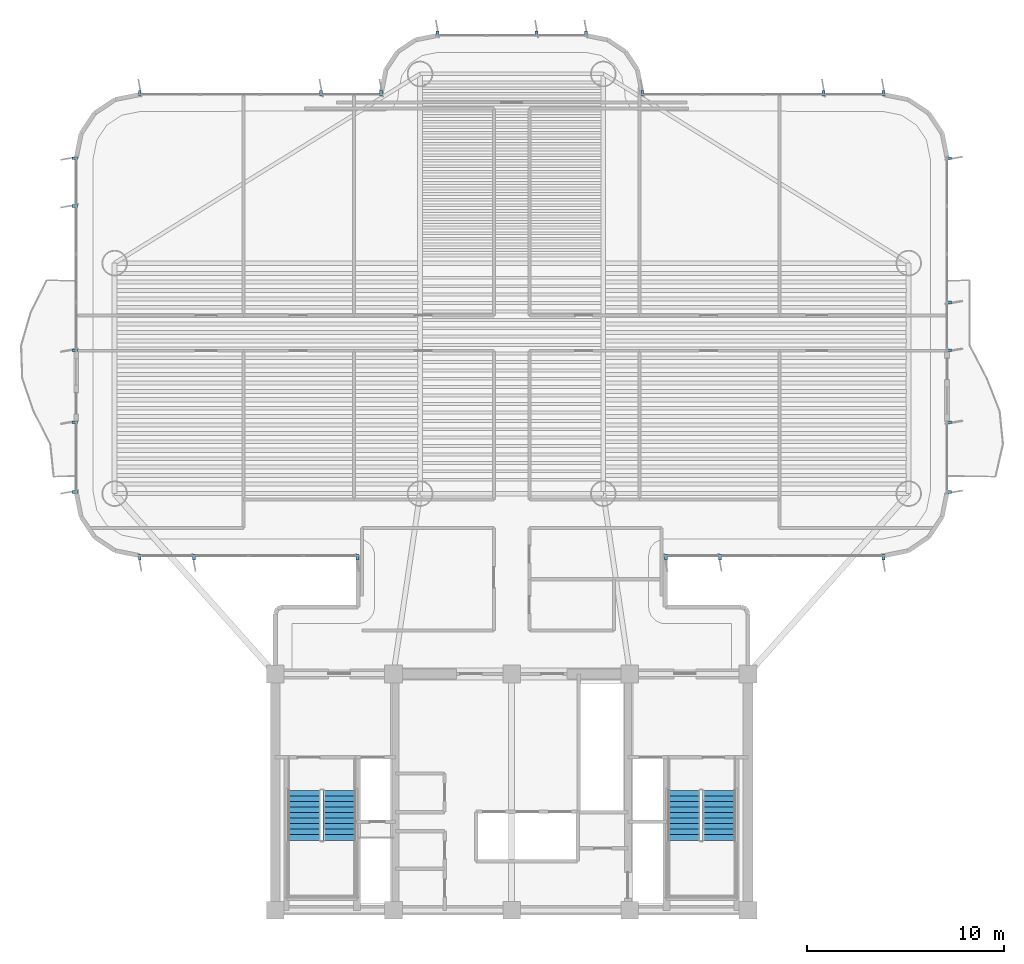
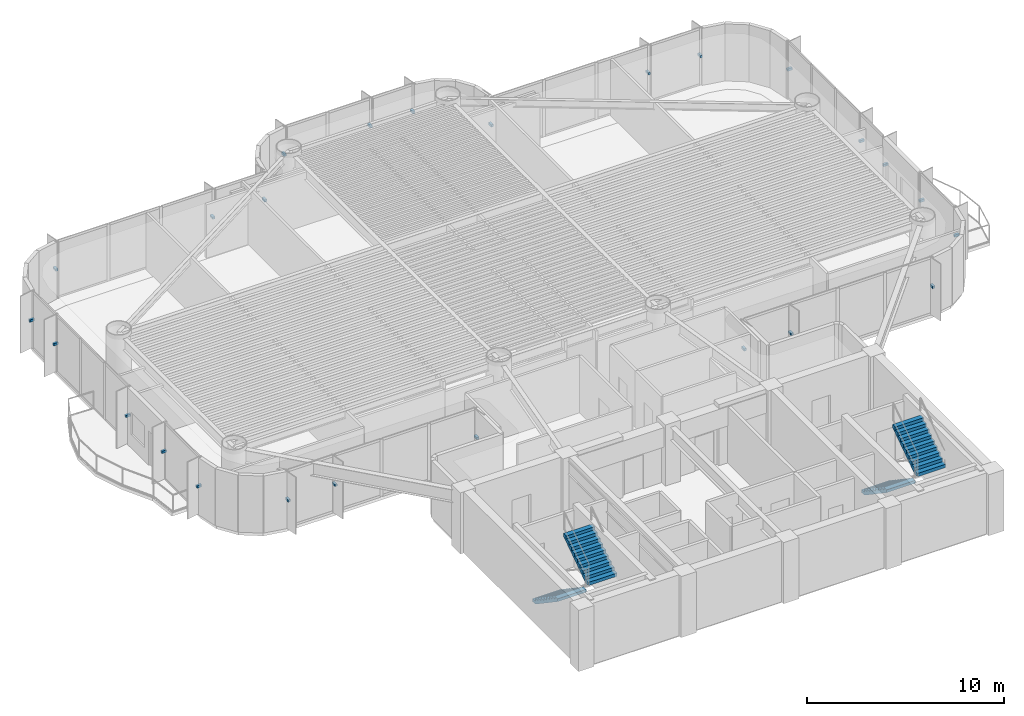
# One storey, part 12 of 16: 25 discrete accessories, 4 stair flights, 2 elements without a shape of their own.
"""IFC4 building model written with IfcOpenShell, lengths in metres."""

from ifc_helpers import new_model, si_unit, direction, frame, origin, origin_2d, place, context, subcontext, project, spatial, polyline, rectangle, outline, extrude, source, transform, mapped, material, type_object, element, aggregate, save


model = new_model("IFC4")

# Units and contexts
model_context = context("Model", 3, precision=1e-05, world=origin(), true_north=direction((0.0, 1.0)))
body_context = subcontext(model_context, "Body", "Model", "MODEL_VIEW")
ifc_project = project(units=[si_unit("LENGTHUNIT", "METRE"), si_unit("AREAUNIT", "SQUARE_METRE"), si_unit("VOLUMEUNIT", "CUBIC_METRE"), si_unit("PLANEANGLEUNIT", "RADIAN"), si_unit("MASSUNIT", "GRAM", prefix="KILO")], contexts=[model_context])

# Site, building, storey
site_placement = place(None, origin())
site = spatial("IfcSite", under=ifc_project, at=site_placement, CompositionType="ELEMENT")
building_placement = place(site_placement, origin())
building = spatial("IfcBuilding", under=site, at=building_placement, Name="Brelvock Crest Care Tower", CompositionType="ELEMENT")
storey_placement = place(building_placement, frame((0.0, 0.0, 120.06005859375)))
storey = spatial("IfcBuildingStorey", under=building, at=storey_placement, Name="L30", CompositionType="ELEMENT", Elevation=120.06005859375)

# Stair, stair flights
ifc_material_1 = material(Name="Concrete N40 (40 MPa)", Category="concrete")
stair_type = type_object("IfcStairType", Name="ST-CORE1", PredefinedType="HALF_TURN_STAIR", material=ifc_material_1)
stair_1_placement = place(storey_placement, origin())
stair_1 = element("IfcStair", 1, at=stair_1_placement, inside=storey, type_object=stair_type, Name="L30 Fire-Isolated Core Stair ST-1", PredefinedType="HALF_TURN_STAIR")
stair_flight_type = type_object("IfcStairFlightType", Name="STF-1", PredefinedType="STRAIGHT", material=ifc_material_1)
stair_flight_1_placement = place(storey_placement, frame((25.469970703125, 12.080078125, 0.0), z_axis=(0.0, 0.0, 1.0), x_axis=(0.0, -1.0, 0.0)))
stair_flight_1 = element("IfcStairFlight", 2, at=stair_flight_1_placement, type_object=stair_flight_type, Name="ST-1 flight 1", NumberOfRisers=10, NumberOfTreads=9, PredefinedType="STRAIGHT", RiserHeight=0.189, TreadLength=0.28, context=body_context, shape_type="SweptSolid", body=[
    extrude(outline(polyline([(-0.00390625, -0.014892578125), (-0.00390625, -0.0078125), (-0.00390625, -0.00048828125), (-0.00390625, 0.0068359375), (-0.00390625, 0.01416015625), (-0.00390625, 0.021484375), (-0.00390625, 0.02880859375), (-0.00390625, 0.035888671875), (-0.00390625, 0.043212890625), (-0.00390625, 0.050537109375), (-0.00390625, 0.057861328125), (-0.00390625, 0.065185546875), (-0.00390625, 0.072509765625), (-0.00390625, 0.07958984375), (-0.00390625, 0.0869140625), (-0.00390625, 0.09423828125), (-0.00390625, 0.1015625), (-0.00390625, 0.10888671875), (-0.00390625, 0.1162109375), (-0.00390625, 0.12353515625), (-0.00390625, 0.130615234375), (-0.00390625, 0.137939453125), (-0.00390625, 0.145263671875), (-0.00390625, 0.152587890625), (-0.00390625, 0.159912109375), (-0.00390625, 0.167236328125), (-0.00390625, 0.17431640625), (-0.00390625, 0.181640625), (-0.00390625, 0.18896484375), (0.0, 0.18896484375), (0.280029296875, 0.18896484375), (0.280029296875, 0.3779296875), (0.56005859375, 0.3779296875), (0.56005859375, 0.56689453125), (0.840087890625, 0.56689453125), (0.840087890625, 0.756103515625), (1.1201171875, 0.756103515625), (1.1201171875, 0.945068359375), (1.39990234375, 0.945068359375), (1.39990234375, 1.134033203125), (1.679931640625, 1.134033203125), (1.679931640625, 1.322998046875), (1.9599609375, 1.322998046875), (1.9599609375, 1.511962890625), (2.239990234375, 1.511962890625), (2.239990234375, 1.700927734375), (2.52001953125, 1.700927734375), (2.52392578125, 1.700927734375), (2.523681640625, 1.70068359375), (2.52392578125, 1.700439453125), (2.523681640625, 1.699951171875), (2.52392578125, 1.69970703125), (2.523681640625, 1.699462890625), (2.52392578125, 1.698974609375), (2.523681640625, 1.69873046875), (2.52392578125, 1.698486328125), (2.523681640625, 1.697998046875), (2.52392578125, 1.69775390625), (2.523681640625, 1.697509765625), (2.52392578125, 1.697021484375), (2.523681640625, 1.69677734375), (2.52392578125, 1.696533203125), (2.523681640625, 1.6962890625), (2.52392578125, 1.69580078125), (2.523681640625, 1.695556640625), (2.52392578125, 1.6953125), (2.523681640625, 1.69482421875), (2.52392578125, 1.694580078125), (2.523681640625, 1.6943359375), (2.52392578125, 1.69384765625), (2.523681640625, 1.693603515625), (2.52392578125, 1.693359375), (2.523681640625, 1.69287109375), (2.52392578125, 1.692626953125), (2.523681640625, 1.6923828125), (2.52392578125, 1.69189453125), (2.52001953125, 1.520263671875), (0.267822265625, 0.0), (0.0, 0.0), (0.0, -0.014892578125), (-0.00390625, -0.014892578125)])), frame((0.0, 0.83984375, 0.0), z_axis=(0.0, -1.0, 0.0), x_axis=(1.0, 0.0, 0.0)), (0.0, 0.0, 1.0), 1.679931640625),
])
stair_flight_2_placement = place(storey_placement, frame((27.27001953125, 9.56005859375, 1.889892578125), z_axis=(0.0, 0.0, 1.0), x_axis=(0.0, 1.0, 0.0)))
stair_flight_2 = element("IfcStairFlight", 3, at=stair_flight_2_placement, type_object=stair_flight_type, Name="ST-1 flight 2", NumberOfRisers=10, NumberOfTreads=9, PredefinedType="STRAIGHT", RiserHeight=0.189, TreadLength=0.28, context=body_context, shape_type="SweptSolid", body=[
    extrude(outline(polyline([(-0.00390625, -0.014892578125), (-0.00390625, -0.0078125), (-0.00390625, -0.00048828125), (-0.00390625, 0.0068359375), (-0.00390625, 0.01416015625), (-0.00390625, 0.021484375), (-0.00390625, 0.02880859375), (-0.00390625, 0.035888671875), (-0.00390625, 0.043212890625), (-0.00390625, 0.050537109375), (-0.00390625, 0.057861328125), (-0.00390625, 0.065185546875), (-0.00390625, 0.072509765625), (-0.00390625, 0.07958984375), (-0.00390625, 0.0869140625), (-0.00390625, 0.09423828125), (-0.00390625, 0.1015625), (-0.00390625, 0.10888671875), (-0.00390625, 0.1162109375), (-0.00390625, 0.12353515625), (-0.00390625, 0.130615234375), (-0.00390625, 0.137939453125), (-0.00390625, 0.145263671875), (-0.00390625, 0.152587890625), (-0.00390625, 0.159912109375), (-0.00390625, 0.167236328125), (-0.00390625, 0.17431640625), (-0.00390625, 0.181640625), (-0.00390625, 0.18896484375), (0.0, 0.18896484375), (0.280029296875, 0.18896484375), (0.280029296875, 0.3779296875), (0.56005859375, 0.3779296875), (0.56005859375, 0.56689453125), (0.840087890625, 0.56689453125), (0.840087890625, 0.756103515625), (1.1201171875, 0.756103515625), (1.1201171875, 0.945068359375), (1.39990234375, 0.945068359375), (1.39990234375, 1.134033203125), (1.679931640625, 1.134033203125), (1.679931640625, 1.322998046875), (1.9599609375, 1.322998046875), (1.9599609375, 1.511962890625), (2.239990234375, 1.511962890625), (2.239990234375, 1.700927734375), (2.52001953125, 1.700927734375), (2.52392578125, 1.700927734375), (2.523681640625, 1.70068359375), (2.52392578125, 1.700439453125), (2.523681640625, 1.699951171875), (2.52392578125, 1.69970703125), (2.523681640625, 1.699462890625), (2.52392578125, 1.698974609375), (2.523681640625, 1.69873046875), (2.52392578125, 1.698486328125), (2.523681640625, 1.697998046875), (2.52392578125, 1.69775390625), (2.523681640625, 1.697509765625), (2.52392578125, 1.697021484375), (2.523681640625, 1.69677734375), (2.52392578125, 1.696533203125), (2.523681640625, 1.6962890625), (2.52392578125, 1.69580078125), (2.523681640625, 1.695556640625), (2.52392578125, 1.6953125), (2.523681640625, 1.69482421875), (2.52392578125, 1.694580078125), (2.523681640625, 1.6943359375), (2.52392578125, 1.69384765625), (2.523681640625, 1.693603515625), (2.52392578125, 1.693359375), (2.523681640625, 1.69287109375), (2.52392578125, 1.692626953125), (2.523681640625, 1.6923828125), (2.52392578125, 1.69189453125), (2.52001953125, 1.520263671875), (0.267822265625, 0.0), (0.0, 0.0), (0.0, -0.014892578125), (-0.00390625, -0.014892578125)])), frame((0.0, 0.83984375, 0.0), z_axis=(0.0, -1.0, 0.0), x_axis=(1.0, 0.0, 0.0)), (0.0, 0.0, 1.0), 1.679931640625),
])
aggregate(stair_1, [stair_flight_1, stair_flight_2])

stair_2_placement = place(storey_placement, origin())
stair_2 = element("IfcStair", 4, at=stair_2_placement, inside=storey, type_object=stair_type, Name="L30 Fire-Isolated Core Stair ST-2", PredefinedType="HALF_TURN_STAIR")
stair_flight_3_placement = place(storey_placement, frame((44.72998046875, 12.080078125, 0.0), z_axis=(0.0, 0.0, 1.0), x_axis=(0.0, -1.0, 0.0)))
stair_flight_3 = element("IfcStairFlight", 5, at=stair_flight_3_placement, type_object=stair_flight_type, Name="ST-2 flight 1", NumberOfRisers=10, NumberOfTreads=9, PredefinedType="STRAIGHT", RiserHeight=0.189, TreadLength=0.28, context=body_context, shape_type="SweptSolid", body=[
    extrude(outline(polyline([(-0.00390625, -0.014892578125), (-0.00390625, -0.0078125), (-0.00390625, -0.00048828125), (-0.00390625, 0.0068359375), (-0.00390625, 0.01416015625), (-0.00390625, 0.021484375), (-0.00390625, 0.02880859375), (-0.00390625, 0.035888671875), (-0.00390625, 0.043212890625), (-0.00390625, 0.050537109375), (-0.00390625, 0.057861328125), (-0.00390625, 0.065185546875), (-0.00390625, 0.072509765625), (-0.00390625, 0.07958984375), (-0.00390625, 0.0869140625), (-0.00390625, 0.09423828125), (-0.00390625, 0.1015625), (-0.00390625, 0.10888671875), (-0.00390625, 0.1162109375), (-0.00390625, 0.12353515625), (-0.00390625, 0.130615234375), (-0.00390625, 0.137939453125), (-0.00390625, 0.145263671875), (-0.00390625, 0.152587890625), (-0.00390625, 0.159912109375), (-0.00390625, 0.167236328125), (-0.00390625, 0.17431640625), (-0.00390625, 0.181640625), (-0.00390625, 0.18896484375), (0.0, 0.18896484375), (0.280029296875, 0.18896484375), (0.280029296875, 0.3779296875), (0.56005859375, 0.3779296875), (0.56005859375, 0.56689453125), (0.840087890625, 0.56689453125), (0.840087890625, 0.756103515625), (1.1201171875, 0.756103515625), (1.1201171875, 0.945068359375), (1.39990234375, 0.945068359375), (1.39990234375, 1.134033203125), (1.679931640625, 1.134033203125), (1.679931640625, 1.322998046875), (1.9599609375, 1.322998046875), (1.9599609375, 1.511962890625), (2.239990234375, 1.511962890625), (2.239990234375, 1.700927734375), (2.52001953125, 1.700927734375), (2.52392578125, 1.700927734375), (2.523681640625, 1.70068359375), (2.52392578125, 1.700439453125), (2.523681640625, 1.699951171875), (2.52392578125, 1.69970703125), (2.523681640625, 1.699462890625), (2.52392578125, 1.698974609375), (2.523681640625, 1.69873046875), (2.52392578125, 1.698486328125), (2.523681640625, 1.697998046875), (2.52392578125, 1.69775390625), (2.523681640625, 1.697509765625), (2.52392578125, 1.697021484375), (2.523681640625, 1.69677734375), (2.52392578125, 1.696533203125), (2.523681640625, 1.6962890625), (2.52392578125, 1.69580078125), (2.523681640625, 1.695556640625), (2.52392578125, 1.6953125), (2.523681640625, 1.69482421875), (2.52392578125, 1.694580078125), (2.523681640625, 1.6943359375), (2.52392578125, 1.69384765625), (2.523681640625, 1.693603515625), (2.52392578125, 1.693359375), (2.523681640625, 1.69287109375), (2.52392578125, 1.692626953125), (2.523681640625, 1.6923828125), (2.52392578125, 1.69189453125), (2.52001953125, 1.520263671875), (0.267822265625, 0.0), (0.0, 0.0), (0.0, -0.014892578125), (-0.00390625, -0.014892578125)])), frame((0.0, 0.83984375, 0.0), z_axis=(0.0, -1.0, 0.0), x_axis=(1.0, 0.0, 0.0)), (0.0, 0.0, 1.0), 1.679931640625),
])
stair_flight_4_placement = place(storey_placement, frame((46.530029296875, 9.56005859375, 1.889892578125), z_axis=(0.0, 0.0, 1.0), x_axis=(0.0, 1.0, 0.0)))
stair_flight_4 = element("IfcStairFlight", 6, at=stair_flight_4_placement, type_object=stair_flight_type, Name="ST-2 flight 2", NumberOfRisers=10, NumberOfTreads=9, PredefinedType="STRAIGHT", RiserHeight=0.189, TreadLength=0.28, context=body_context, shape_type="SweptSolid", body=[
    extrude(outline(polyline([(-0.00390625, -0.014892578125), (-0.00390625, -0.0078125), (-0.00390625, -0.00048828125), (-0.00390625, 0.0068359375), (-0.00390625, 0.01416015625), (-0.00390625, 0.021484375), (-0.00390625, 0.02880859375), (-0.00390625, 0.035888671875), (-0.00390625, 0.043212890625), (-0.00390625, 0.050537109375), (-0.00390625, 0.057861328125), (-0.00390625, 0.065185546875), (-0.00390625, 0.072509765625), (-0.00390625, 0.07958984375), (-0.00390625, 0.0869140625), (-0.00390625, 0.09423828125), (-0.00390625, 0.1015625), (-0.00390625, 0.10888671875), (-0.00390625, 0.1162109375), (-0.00390625, 0.12353515625), (-0.00390625, 0.130615234375), (-0.00390625, 0.137939453125), (-0.00390625, 0.145263671875), (-0.00390625, 0.152587890625), (-0.00390625, 0.159912109375), (-0.00390625, 0.167236328125), (-0.00390625, 0.17431640625), (-0.00390625, 0.181640625), (-0.00390625, 0.18896484375), (0.0, 0.18896484375), (0.280029296875, 0.18896484375), (0.280029296875, 0.3779296875), (0.56005859375, 0.3779296875), (0.56005859375, 0.56689453125), (0.840087890625, 0.56689453125), (0.840087890625, 0.756103515625), (1.1201171875, 0.756103515625), (1.1201171875, 0.945068359375), (1.39990234375, 0.945068359375), (1.39990234375, 1.134033203125), (1.679931640625, 1.134033203125), (1.679931640625, 1.322998046875), (1.9599609375, 1.322998046875), (1.9599609375, 1.511962890625), (2.239990234375, 1.511962890625), (2.239990234375, 1.700927734375), (2.52001953125, 1.700927734375), (2.52392578125, 1.700927734375), (2.523681640625, 1.70068359375), (2.52392578125, 1.700439453125), (2.523681640625, 1.699951171875), (2.52392578125, 1.69970703125), (2.523681640625, 1.699462890625), (2.52392578125, 1.698974609375), (2.523681640625, 1.69873046875), (2.52392578125, 1.698486328125), (2.523681640625, 1.697998046875), (2.52392578125, 1.69775390625), (2.523681640625, 1.697509765625), (2.52392578125, 1.697021484375), (2.523681640625, 1.69677734375), (2.52392578125, 1.696533203125), (2.523681640625, 1.6962890625), (2.52392578125, 1.69580078125), (2.523681640625, 1.695556640625), (2.52392578125, 1.6953125), (2.523681640625, 1.69482421875), (2.52392578125, 1.694580078125), (2.523681640625, 1.6943359375), (2.52392578125, 1.69384765625), (2.523681640625, 1.693603515625), (2.52392578125, 1.693359375), (2.523681640625, 1.69287109375), (2.52392578125, 1.692626953125), (2.523681640625, 1.6923828125), (2.52392578125, 1.69189453125), (2.52001953125, 1.520263671875), (0.267822265625, 0.0), (0.0, 0.0), (0.0, -0.014892578125), (-0.00390625, -0.014892578125)])), frame((0.0, 0.83984375, 0.0), z_axis=(0.0, -1.0, 0.0), x_axis=(1.0, 0.0, 0.0)), (0.0, 0.0, 1.0), 1.679931640625),
])
aggregate(stair_2, [stair_flight_3, stair_flight_4])

# Discrete accessories
ifc_material_2 = material(Name="Steel Grade 350", Category="steel")
discrete_accessory_type = type_object("IfcDiscreteAccessoryType", Name="ACC-BRK1", PredefinedType="BRACKET", material=ifc_material_2)
shared_shape = source(origin(), body_context, "Body", "SweptSolid", [
    extrude(rectangle(XDim=0.280029296875, YDim=0.139892578125, at=origin_2d()), origin(), (0.0, 0.0, 1.0), 0.139892578125),
])
for number, where, z_axis, x_axis, name in (
    (7, (28.169921875, 23.919921875, 1.69482421875), (0.0, 0.0, 1.0), (0.0, -1.0, 0.0), "L30 Facade Fin Bracket E12-01"),
    (8, (19.875, 23.919921875, 1.69482421875), (0.0, 0.0, 1.0), (0.0, -1.0, 0.0), "L30 Facade Fin Bracket E12-04"),
    (9, (17.1298828125, 23.919921875, 1.69482421875), (0.0, 0.0, 1.0), (0.0, -1.0, 0.0), "L30 Facade Fin Bracket E12-05"),
    (10, (13.820068359375, 27.22998046875, 1.69482421875), (0.0, 0.0, 1.0), (-1.0, 0.0, 0.0), "L30 Facade Fin Bracket E17A-01"),
    (11, (13.820068359375, 30.77001953125, 1.69482421875), (0.0, 0.0, 1.0), (-1.0, 0.0, 0.0), "L30 Facade Fin Bracket E17A-02"),
    (12, (13.820068359375, 34.429931640625, 1.69482421875), (0.0, 0.0, 1.0), (-1.0, 0.0, 0.0), "L30 Facade Fin Bracket E17B-01"),
    (13, (13.820068359375, 41.75, 1.69482421875), (0.0, 0.0, 1.0), (-1.0, 0.0, 0.0), "L30 Facade Fin Bracket E17B-04"),
    (14, (13.820068359375, 44.169921875, 1.69482421875), (0.0, 0.0, 1.0), (-1.0, 0.0, 0.0), "L30 Facade Fin Bracket E17B-05"),
    (15, (17.1298828125, 47.47998046875, 1.69482421875), (0.0, 0.0, 1.0), (0.0, 1.0, 0.0), "L30 Facade Fin Bracket E22-01"),
    (16, (26.324951171875, 47.47998046875, 1.69482421875), (0.0, 0.0, 1.0), (0.0, 1.0, 0.0), "L30 Facade Fin Bracket E22-04"),
    (17, (29.3701171875, 47.47998046875, 1.69482421875), (0.0, 0.0, 1.0), (0.0, 1.0, 0.0), "L30 Facade Fin Bracket E22-05"),
    (18, (32.22998046875, 50.47998046875, 1.69482421875), (0.0, 0.0, 1.0), (0.0, 1.0, 0.0), "L30 Facade Fin Bracket E28-01"),
    (19, (37.2666015625, 50.47998046875, 1.69482421875), (0.0, 0.0, 1.0), (0.0, 1.0, 0.0), "L30 Facade Fin Bracket E28-03"),
    (20, (39.77001953125, 50.47998046875, 1.69482421875), (0.0, 0.0, 1.0), (0.0, 1.0, 0.0), "L30 Facade Fin Bracket E28-04"),
    (21, (42.6298828125, 47.47998046875, 1.69482421875), (0.0, 0.0, 1.0), (0.0, 1.0, 0.0), "L30 Facade Fin Bracket E34-01"),
    (22, (51.824951171875, 47.47998046875, 1.69482421875), (0.0, 0.0, 1.0), (0.0, 1.0, 0.0), "L30 Facade Fin Bracket E34-04"),
    (23, (54.8701171875, 47.47998046875, 1.69482421875), (0.0, 0.0, 1.0), (0.0, 1.0, 0.0), "L30 Facade Fin Bracket E34-05"),
    (24, (58.179931640625, 44.169921875, 1.69482421875), (0.0, 0.0, 1.0), (1.0, 0.0, 0.0), "L30 Facade Fin Bracket E39A-01"),
    (25, (58.179931640625, 36.85009765625, 1.69482421875), (0.0, 0.0, 1.0), (1.0, 0.0, 0.0), "L30 Facade Fin Bracket E39A-04"),
    (26, (58.179931640625, 34.429931640625, 1.69482421875), (0.0, 0.0, 1.0), (1.0, 0.0, 0.0), "L30 Facade Fin Bracket E39A-05"),
    (27, (58.179931640625, 30.77001953125, 1.69482421875), (0.0, 0.0, 1.0), (1.0, 0.0, 0.0), "L30 Facade Fin Bracket E39B-01"),
    (28, (58.179931640625, 27.22998046875, 1.69482421875), (0.0, 0.0, 1.0), (1.0, 0.0, 0.0), "L30 Facade Fin Bracket E39B-02"),
    (29, (54.8701171875, 23.919921875, 1.69482421875), (0.0, 0.0, 1.0), (0.0, -1.0, 0.0), "L30 Facade Fin Bracket E44-01"),
    (30, (46.574951171875, 23.919921875, 1.69482421875), (0.0, 0.0, 1.0), (0.0, -1.0, 0.0), "L30 Facade Fin Bracket E44-04"),
    (31, (43.830078125, 23.919921875, 1.69482421875), (0.0, 0.0, 1.0), (0.0, -1.0, 0.0), "L30 Facade Fin Bracket E44-05"),
):
    element("IfcDiscreteAccessory", number, at=place(storey_placement, frame(where, z_axis=z_axis, x_axis=x_axis)), inside=storey, type_object=discrete_accessory_type, Name=name, PredefinedType="BRACKET", context=body_context, shape_type="MappedRepresentation", body=[
        mapped(shared_shape, transform((0.0, 0.0, 0.0), x_axis=(1.0, 0.0, 0.0), y_axis=(0.0, 1.0, 0.0), z_axis=(0.0, 0.0, 1.0), scale=1.0)),
    ])

save(model, "model.ifc")
